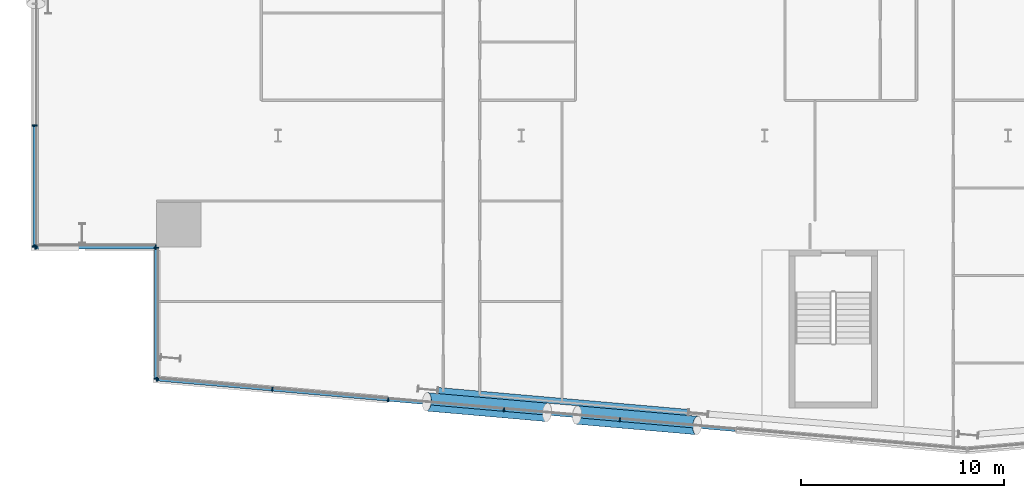
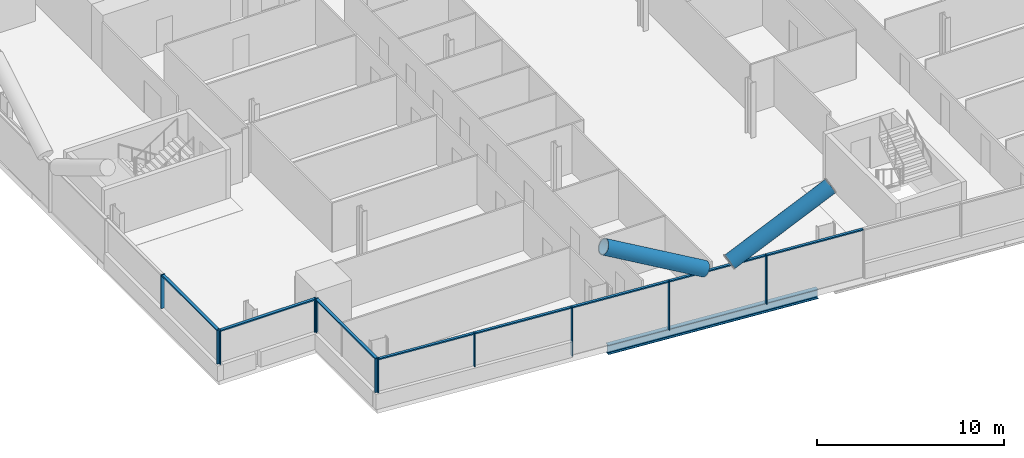
# One storey, part 4 of 27: 21 members, 1 beam, 4 elements without a shape of their own.
"""IFC4 building model written with IfcOpenShell, lengths in metres."""

from ifc_helpers import new_model, si_unit, direction, frame, origin, origin_2d, place, context, subcontext, project, spatial, rectangle, hollow_circle, i_section, extrude, material, material_profile, profile_set, type_object, element, aggregate, save


model = new_model("IFC4")

# Units and contexts
model_context = context("Model", 3, precision=1e-05, world=origin(), true_north=direction((0.0, 1.0)))
body_context = subcontext(model_context, "Body", "Model", "MODEL_VIEW")
ifc_project = project(units=[si_unit("LENGTHUNIT", "METRE"), si_unit("AREAUNIT", "SQUARE_METRE"), si_unit("VOLUMEUNIT", "CUBIC_METRE"), si_unit("PLANEANGLEUNIT", "RADIAN"), si_unit("MASSUNIT", "GRAM", prefix="KILO")], contexts=[model_context])

# Site, building, storey
site_placement = place(None, origin())
site = spatial("IfcSite", under=ifc_project, at=site_placement, CompositionType="ELEMENT")
building_placement = place(site_placement, origin())
building = spatial("IfcBuilding", under=site, at=building_placement, Name="Wharfspan Tower", CompositionType="ELEMENT")
storey_placement = place(building_placement, frame((0.0, 0.0, 77.5)))
storey = spatial("IfcBuildingStorey", under=building, at=storey_placement, Name="L16", CompositionType="ELEMENT", Elevation=77.5)

# Beam
ifc_material_1 = material(Name="Steel S355J2", Category="steel")
ifc_material_profile_1 = material_profile(ifc_material_1, i_section(OverallWidth=0.300049, OverallDepth=0.600098, WebThickness=0.015381, FlangeThickness=0.030029, FilletRadius=0.0271, at=origin_2d()))
ifc_profile_set_1 = profile_set([ifc_material_profile_1], Name="Steel S355J2")
beam_type = type_object("IfcBeamType", Name="Edge beam HEB 600", PredefinedType="SPANDREL", material=ifc_profile_set_1)
beam_placement = place(storey_placement, frame((19.888916, -1.077637, -0.699951), z_axis=(0.996195, -0.087154, 0.0), x_axis=(0.087154, 0.996195, 0.0)))
element("IfcBeam", 1, at=beam_placement, inside=storey, type_object=beam_type, Name="Edge beam S1 L16 PS1.2 to PS1.3", PredefinedType="SPANDREL", context=body_context, shape_type="SweptSolid", body=[
    extrude(i_section(OverallWidth=0.300049, OverallDepth=0.600098, WebThickness=0.015381, FlangeThickness=0.030029, FilletRadius=0.0271, at=origin_2d()), origin(), (0.0, 0.0, 1.0), 12.384277),
])

# Curtain wall, members
ifc_material_2 = material(Name="Aluminium 6063-T6", Category="aluminium")
curtain_wall_type_1 = type_object("IfcCurtainWallType", Name="CURTAIN WALL FACETED FRONT", PredefinedType="NOTDEFINED", material=ifc_material_2)
curtain_wall_1_placement = place(storey_placement, origin())
curtain_wall_1 = element("IfcCurtainWall", 2, at=curtain_wall_1_placement, inside=storey, type_object=curtain_wall_type_1, Name="Curtain wall S1", PredefinedType="NOTDEFINED")
ifc_material_profile_2 = material_profile(ifc_material_2, rectangle(XDim=0.199951, YDim=0.060059, at=origin_2d()))
ifc_profile_set_2 = profile_set([ifc_material_profile_2], Name="Aluminium 6063-T6")
member_type_1 = type_object("IfcMemberType", Name="MULLION FACETED FRONT 60x200", PredefinedType="MULLION", material=ifc_profile_set_2)
member_1_placement = place(storey_placement, frame((6.029785, -0.527588, 1.0), z_axis=(0.0, 0.0, 1.0), x_axis=(0.087156, 0.996197, 0.0)))
member_1 = element("IfcMember", 3, at=member_1_placement, type_object=member_type_1, Name="Curtain wall S1 mullion 1", PredefinedType="MULLION", context=body_context, shape_type="SweptSolid", body=[
    extrude(rectangle(XDim=0.199951, YDim=0.060059, at=origin_2d()), origin(), (0.0, 0.0, 1.0), 2.199951),
])
member_2_placement = place(storey_placement, frame((11.714355, -1.024902, 1.0), z_axis=(0.0, 0.0, 1.0), x_axis=(0.087156, 0.996197, 0.0)))
member_2 = element("IfcMember", 4, at=member_2_placement, type_object=member_type_1, Name="Curtain wall S1 mullion 2", PredefinedType="MULLION", context=body_context, shape_type="SweptSolid", body=[
    extrude(rectangle(XDim=0.199951, YDim=0.060059, at=origin_2d()), origin(), (0.0, 0.0, 1.0), 2.199951),
])
member_3_placement = place(storey_placement, frame((17.428467, -1.524902, 0.0), z_axis=(0.0, 0.0, 1.0), x_axis=(0.087156, 0.996197, 0.0)))
member_3 = element("IfcMember", 5, at=member_3_placement, type_object=member_type_1, Name="Curtain wall S1 mullion 3", PredefinedType="MULLION", context=body_context, shape_type="SweptSolid", body=[
    extrude(rectangle(XDim=0.199951, YDim=0.060059, at=origin_2d()), origin(), (0.0, 0.0, 1.0), 3.199951),
])
member_4_placement = place(storey_placement, frame((23.142822, -2.024658, 0.0), z_axis=(0.0, 0.0, 1.0), x_axis=(0.087156, 0.996197, 0.0)))
member_4 = element("IfcMember", 6, at=member_4_placement, type_object=member_type_1, Name="Curtain wall S1 mullion 4", PredefinedType="MULLION", context=body_context, shape_type="SweptSolid", body=[
    extrude(rectangle(XDim=0.199951, YDim=0.060059, at=origin_2d()), origin(), (0.0, 0.0, 1.0), 3.199951),
])
member_5_placement = place(storey_placement, frame((28.857178, -2.524658, 0.0), z_axis=(0.0, 0.0, 1.0), x_axis=(0.087156, 0.996197, 0.0)))
member_5 = element("IfcMember", 7, at=member_5_placement, type_object=member_type_1, Name="Curtain wall S1 mullion 5", PredefinedType="MULLION", context=body_context, shape_type="SweptSolid", body=[
    extrude(rectangle(XDim=0.199951, YDim=0.060059, at=origin_2d()), origin(), (0.0, 0.0, 1.0), 3.199951),
])

curtain_wall_type_2 = type_object("IfcCurtainWallType", Name="CURTAIN WALL PROW AND END", PredefinedType="NOTDEFINED", material=ifc_material_2)
curtain_wall_2_placement = place(storey_placement, origin())
curtain_wall_2 = element("IfcCurtainWall", 8, at=curtain_wall_2_placement, inside=storey, type_object=curtain_wall_type_2, Name="Curtain wall W", PredefinedType="NOTDEFINED")
ifc_material_profile_3 = material_profile(ifc_material_2, rectangle(XDim=0.23999, YDim=0.060059, at=origin_2d()))
ifc_profile_set_3 = profile_set([ifc_material_profile_3], Name="Aluminium 6063-T6")
member_type_2 = type_object("IfcMemberType", Name="MULLION PROW AND END 60x240", PredefinedType="MULLION", material=ifc_profile_set_3)
member_6_placement = place(storey_placement, frame((0.0, 12.0, 1.0), z_axis=(0.0, 0.0, 1.0), x_axis=(1.0, 0.0, 0.0)))
member_6 = element("IfcMember", 9, at=member_6_placement, type_object=member_type_2, Name="Curtain wall W mullion 6", PredefinedType="MULLION", context=body_context, shape_type="SweptSolid", body=[
    extrude(rectangle(XDim=0.23999, YDim=0.060059, at=origin_2d()), origin(), (0.0, 0.0, 1.0), 2.199951),
])
member_7_placement = place(storey_placement, frame((0.0, 6.030029, 1.0), z_axis=(0.0, 0.0, 1.0), x_axis=(1.0, 0.0, 0.0)))
member_7 = element("IfcMember", 10, at=member_7_placement, type_object=member_type_2, Name="Curtain wall W mullion 7", PredefinedType="MULLION", context=body_context, shape_type="SweptSolid", body=[
    extrude(rectangle(XDim=0.23999, YDim=0.060059, at=origin_2d()), origin(), (0.0, 0.0, 1.0), 2.199951),
])

curtain_wall_3_placement = place(storey_placement, origin())
curtain_wall_3 = element("IfcCurtainWall", 11, at=curtain_wall_3_placement, inside=storey, type_object=curtain_wall_type_2, Name="Curtain wall NFW-H", PredefinedType="NOTDEFINED")
member_8_placement = place(storey_placement, frame((0.030029, 6.0, 1.0), z_axis=(0.0, 0.0, 1.0), x_axis=(0.0, 1.0, 0.0)))
member_8 = element("IfcMember", 12, at=member_8_placement, type_object=member_type_2, Name="Curtain wall NFW-H mullion 1", PredefinedType="MULLION", context=body_context, shape_type="SweptSolid", body=[
    extrude(rectangle(XDim=0.23999, YDim=0.060059, at=origin_2d()), origin(), (0.0, 0.0, 1.0), 2.199951),
])
member_9_placement = place(storey_placement, frame((5.969971, 6.0, 1.0), z_axis=(0.0, 0.0, 1.0), x_axis=(0.0, 1.0, 0.0)))
member_9 = element("IfcMember", 13, at=member_9_placement, type_object=member_type_2, Name="Curtain wall NFW-H mullion 2", PredefinedType="MULLION", context=body_context, shape_type="SweptSolid", body=[
    extrude(rectangle(XDim=0.23999, YDim=0.060059, at=origin_2d()), origin(), (0.0, 0.0, 1.0), 2.199951),
])

curtain_wall_4_placement = place(storey_placement, origin())
curtain_wall_4 = element("IfcCurtainWall", 14, at=curtain_wall_4_placement, inside=storey, type_object=curtain_wall_type_2, Name="Curtain wall NFW-V", PredefinedType="NOTDEFINED")
member_10_placement = place(storey_placement, frame((6.0, 5.969971, 1.0), z_axis=(0.0, 0.0, 1.0), x_axis=(1.0, 0.0, 0.0)))
member_10 = element("IfcMember", 15, at=member_10_placement, type_object=member_type_2, Name="Curtain wall NFW-V mullion 1", PredefinedType="MULLION", context=body_context, shape_type="SweptSolid", body=[
    extrude(rectangle(XDim=0.23999, YDim=0.060059, at=origin_2d()), origin(), (0.0, 0.0, 1.0), 2.199951),
])
member_11_placement = place(storey_placement, frame((6.0, -0.494873, 1.0), z_axis=(0.0, 0.0, 1.0), x_axis=(1.0, 0.0, 0.0)))
member_11 = element("IfcMember", 16, at=member_11_placement, type_object=member_type_2, Name="Curtain wall NFW-V mullion 2", PredefinedType="MULLION", context=body_context, shape_type="SweptSolid", body=[
    extrude(rectangle(XDim=0.23999, YDim=0.060059, at=origin_2d()), origin(), (0.0, 0.0, 1.0), 2.199951),
])

# Members
ifc_material_3 = material(Name="Steel S460NH", Category="steel")
ifc_material_profile_4 = material_profile(ifc_material_3, hollow_circle(Radius=0.457031, WallThickness=0.040039, at=origin_2d()))
ifc_profile_set_4 = profile_set([ifc_material_profile_4], Name="Steel S460NH")
member_type_3 = type_object("IfcMemberType", Name="Mega brace CHS 914x40", PredefinedType="BRACE", material=ifc_profile_set_4)
for number, where, z_axis, x_axis, name in (
    (17, (26.746338, -2.284912, 3.300537), (0.877314, -0.076746, 0.47374), (0.087144, 0.996196, 3e-06), "Mega brace S1 L16 part 2"),
    (18, (25.263184, -2.155029, 3.300537), (-0.877314, 0.076746, 0.47374), (-0.087144, -0.996196, 3e-06), "Mega brace S1 L16 part 4"),
):
    element("IfcMember", number, at=place(storey_placement, frame(where, z_axis=z_axis, x_axis=x_axis)), inside=storey, type_object=member_type_3, Name=name, PredefinedType="BRACE", context=body_context, shape_type="SweptSolid", body=[
        extrude(hollow_circle(Radius=0.457031, WallThickness=0.040039, at=origin_2d()), origin(), (0.0, 0.0, 1.0), 6.753662),
    ])

# Member
ifc_material_profile_5 = material_profile(ifc_material_2, rectangle(XDim=0.159912, YDim=0.080078, at=origin_2d()))
ifc_profile_set_5 = profile_set([ifc_material_profile_5], Name="Aluminium 6063-T6")
member_type_4 = type_object("IfcMemberType", Name="TRANSOM FACETED FRONT 80x160", PredefinedType="USERDEFINED", material=ifc_profile_set_5)
member_12_placement = place(storey_placement, frame((6.059814, -0.530273, 3.159912), z_axis=(0.996197, -0.087132, 0.0), x_axis=(0.087132, 0.996197, 0.0)))
member_12 = element("IfcMember", 19, at=member_12_placement, type_object=member_type_4, Name="Curtain wall S1 transom 1", ObjectType="TRANSOM", PredefinedType="USERDEFINED", context=body_context, shape_type="SweptSolid", body=[
    extrude(rectangle(XDim=0.159912, YDim=0.080078, at=origin_2d()), origin(), (0.0, 0.0, 1.0), 5.645996),
])

member_13_placement = place(storey_placement, frame((11.744141, -1.027588, 3.159912), z_axis=(0.996196, -0.087142, 0.0), x_axis=(0.087142, 0.996196, 0.0)))
member_13 = element("IfcMember", 20, at=member_13_placement, type_object=member_type_4, Name="Curtain wall S1 transom 2", ObjectType="TRANSOM", PredefinedType="USERDEFINED", context=body_context, shape_type="SweptSolid", body=[
    extrude(rectangle(XDim=0.159912, YDim=0.080078, at=origin_2d()), origin(), (0.0, 0.0, 1.0), 5.676025),
])

member_14_placement = place(storey_placement, frame((17.458496, -1.527344, 3.159912), z_axis=(0.996192, -0.087185, 0.0), x_axis=(0.087185, 0.996192, 0.0)))
member_14 = element("IfcMember", 21, at=member_14_placement, type_object=member_type_4, Name="Curtain wall S1 transom 3", ObjectType="TRANSOM", PredefinedType="USERDEFINED", context=body_context, shape_type="SweptSolid", body=[
    extrude(rectangle(XDim=0.159912, YDim=0.080078, at=origin_2d()), origin(), (0.0, 0.0, 1.0), 5.67627),
])

member_15_placement = place(storey_placement, frame((23.172852, -2.027344, 3.159912), z_axis=(0.996196, -0.087146, 0.0), x_axis=(0.087146, 0.996196, 0.0)))
member_15 = element("IfcMember", 22, at=member_15_placement, type_object=member_type_4, Name="Curtain wall S1 transom 4", ObjectType="TRANSOM", PredefinedType="USERDEFINED", context=body_context, shape_type="SweptSolid", body=[
    extrude(rectangle(XDim=0.159912, YDim=0.080078, at=origin_2d()), origin(), (0.0, 0.0, 1.0), 5.675781),
])

member_16_placement = place(storey_placement, frame((28.886963, -2.527344, 3.159912), z_axis=(0.996196, -0.087142, 0.0), x_axis=(0.087142, 0.996196, 0.0)))
member_16 = element("IfcMember", 23, at=member_16_placement, type_object=member_type_4, Name="Curtain wall S1 transom 5", ObjectType="TRANSOM", PredefinedType="USERDEFINED", context=body_context, shape_type="SweptSolid", body=[
    extrude(rectangle(XDim=0.159912, YDim=0.080078, at=origin_2d()), origin(), (0.0, 0.0, 1.0), 5.676025),
])

aggregate(curtain_wall_1, [member_1, member_2, member_3, member_4, member_5, member_12, member_13, member_14, member_15, member_16])

ifc_material_profile_6 = material_profile(ifc_material_2, rectangle(XDim=0.179932, YDim=0.080078, at=origin_2d()))
ifc_profile_set_6 = profile_set([ifc_material_profile_6], Name="Aluminium 6063-T6")
member_type_5 = type_object("IfcMemberType", Name="TRANSOM PROW AND END 80x180", PredefinedType="USERDEFINED", material=ifc_profile_set_6)
member_17_placement = place(storey_placement, frame((0.0, 11.969971, 3.159912), z_axis=(0.0, -1.0, 0.0), x_axis=(1.0, 0.0, 0.0)))
member_17 = element("IfcMember", 24, at=member_17_placement, type_object=member_type_5, Name="Curtain wall W transom 6", ObjectType="TRANSOM", PredefinedType="USERDEFINED", context=body_context, shape_type="SweptSolid", body=[
    extrude(rectangle(XDim=0.179932, YDim=0.080078, at=origin_2d()), origin(), (0.0, 0.0, 1.0), 5.909912),
])

aggregate(curtain_wall_2, [member_6, member_7, member_17])

member_18_placement = place(storey_placement, frame((0.060059, 6.0, 3.159912), z_axis=(1.0, 0.0, 0.0), x_axis=(0.0, 1.0, 0.0)))
member_18 = element("IfcMember", 25, at=member_18_placement, type_object=member_type_5, Name="Curtain wall NFW-H transom 1", ObjectType="TRANSOM", PredefinedType="USERDEFINED", context=body_context, shape_type="SweptSolid", body=[
    extrude(rectangle(XDim=0.179932, YDim=0.080078, at=origin_2d()), origin(), (0.0, 0.0, 1.0), 5.879883),
])

aggregate(curtain_wall_3, [member_8, member_9, member_18])

member_19_placement = place(storey_placement, frame((6.0, 5.939941, 3.159912), z_axis=(0.0, -1.0, 0.0), x_axis=(1.0, 0.0, 0.0)))
member_19 = element("IfcMember", 26, at=member_19_placement, type_object=member_type_5, Name="Curtain wall NFW-V transom 1", ObjectType="TRANSOM", PredefinedType="USERDEFINED", context=body_context, shape_type="SweptSolid", body=[
    extrude(rectangle(XDim=0.179932, YDim=0.080078, at=origin_2d()), origin(), (0.0, 0.0, 1.0), 6.404785),
])

aggregate(curtain_wall_4, [member_10, member_11, member_19])

save(model, "model.ifc")
